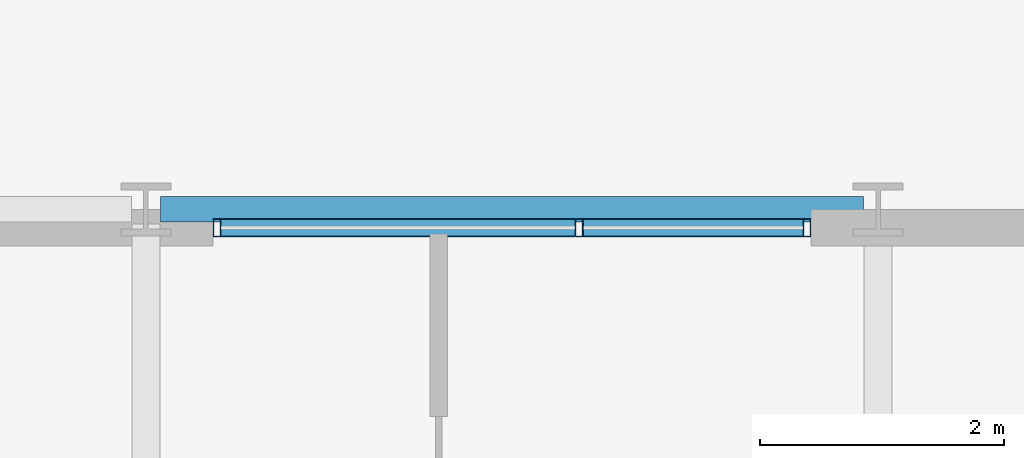
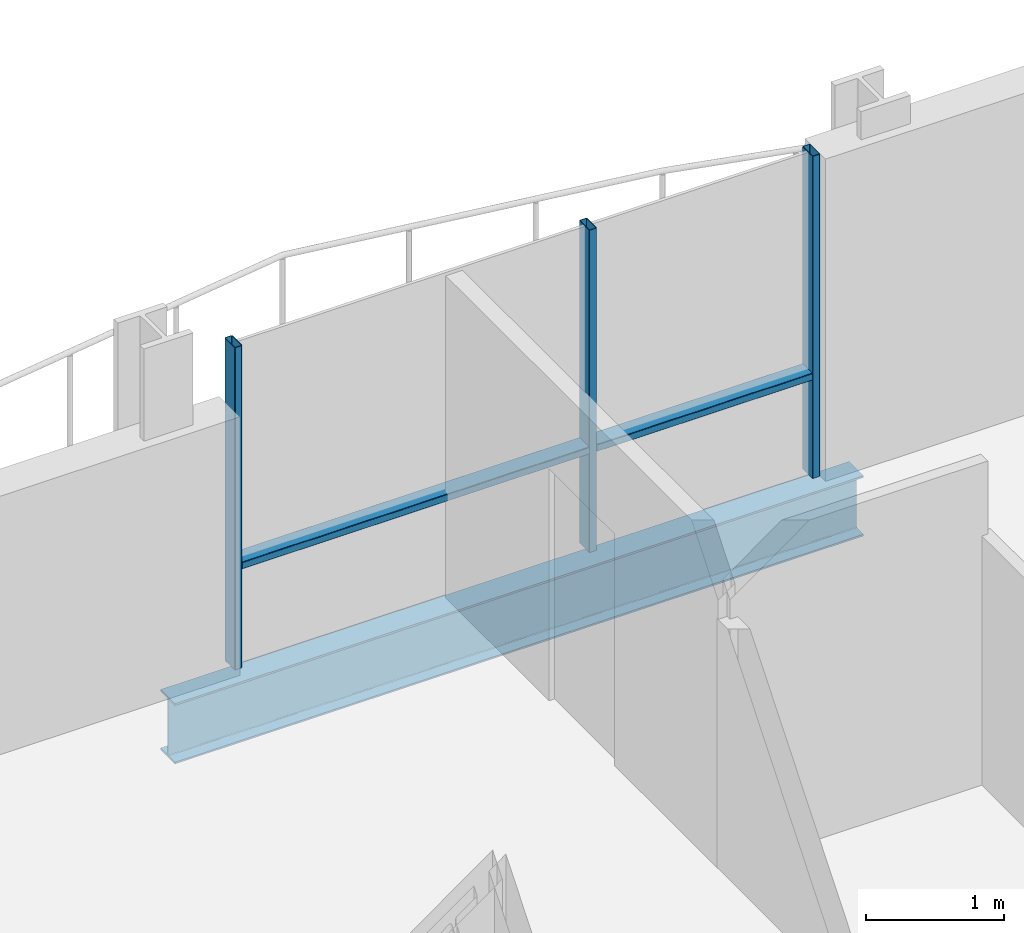
# One storey, part 24 of 40: 5 members, 1 beam, 1 element without a shape of its own.
"""IFC4 building model written with IfcOpenShell, lengths in metres."""

import ifcopenshell
import ifcopenshell.guid

model = None  # the IFC model being written
_history = None  # IfcOwnerHistory: only IFC2X3 demands one
_inside = {}  # id of a spatial element -> (the spatial element, [elements in it])
_under = {}  # id of a project, library or spatial element -> (it, [spatial elements below it])
_declared = {}  # id of a project -> (the project, [libraries it declares])
_typed = {}  # id of a type object -> (the type object, [elements of that type])
_made_of = {}  # id of a material, layer set ... -> (it, [elements and type objects made of it])


def new_model(schema):
    """Start an empty IFC model of exactly this schema.

    Asked for "IFC4X3", IfcOpenShell would pick the latest addendum, in which some entities
    have other attributes; the version numbers below select the first issue.
    IFC2X3 requires an IfcOwnerHistory on every rooted entity: one is made here for all.
    """
    global model, _history
    if schema == "IFC4X3":
        model = ifcopenshell.file(schema_version=(4, 3, 0, 0))
    else:
        model = ifcopenshell.file(schema=schema)
    _inside.clear()
    _under.clear()
    _declared.clear()
    _typed.clear()
    _made_of.clear()
    _history = None
    if model.schema == "IFC2X3":
        org = make("IfcOrganization", Name="unknown")
        user = make(
            "IfcPersonAndOrganization",
            ThePerson=make("IfcPerson", FamilyName="unknown"),
            TheOrganization=org,
        )
        app = make(
            "IfcApplication",
            ApplicationDeveloper=org,
            Version="unknown",
            ApplicationFullName="unknown",
            ApplicationIdentifier="unknown",
        )
        _history = make(
            "IfcOwnerHistory",
            OwningUser=user,
            OwningApplication=app,
            ChangeAction="ADDED",
            CreationDate=0,
        )
    return model


def make(cls, **values):
    """One entity of the class cls with the attributes given. An attribute that is None is left unset."""
    return model.create_entity(
        cls, **{name: value for name, value in values.items() if value is not None}
    )


def rooted(cls, **values):
    """An entity with a GlobalId (a new one), such as an element, a storey or a relation."""
    return make(cls, GlobalId=ifcopenshell.guid.new(), OwnerHistory=_history, **values)


def si_unit(unit_type, name, prefix=None):
    """IfcSIUnit, for example si_unit("LENGTHUNIT", "METRE", prefix="MILLI")."""
    return make("IfcSIUnit", UnitType=unit_type, Prefix=prefix, Name=name)


def assignment(units):
    """IfcUnitAssignment: the units of a project."""
    return None if units is None else make("IfcUnitAssignment", Units=units)


def point(xyz):
    """IfcCartesianPoint."""
    return None if xyz is None else make("IfcCartesianPoint", Coordinates=xyz)


def direction(xyz):
    """IfcDirection."""
    return None if xyz is None else make("IfcDirection", DirectionRatios=xyz)


def frame(location, z_axis=None, x_axis=None):
    """IfcAxis2Placement3D, a coordinate frame: its origin and axes. An axis left out is left unset."""
    return make(
        "IfcAxis2Placement3D",
        Location=point(location),
        Axis=direction(z_axis),
        RefDirection=direction(x_axis),
    )


def frame_2d(location, x_axis=None):
    """IfcAxis2Placement2D, a coordinate frame in the plane: its origin and x axis."""
    return make(
        "IfcAxis2Placement2D", Location=point(location), RefDirection=direction(x_axis)
    )


def origin():
    """The frame at (0, 0, 0) with its axes left unset."""
    return frame((0.0, 0.0, 0.0))


def origin_2d():
    """The frame at (0, 0) in the plane with its x axis left unset."""
    return frame_2d((0.0, 0.0))


def place(relative_to, where):
    """IfcLocalPlacement: puts the frame where relative to a parent placement (None: the world)."""
    return make(
        "IfcLocalPlacement", PlacementRelTo=relative_to, RelativePlacement=where
    )


def context(
    kind, dimensions, precision=None, world=None, true_north=None, identifier=None
):
    """IfcGeometricRepresentationContext, for example the 3D "Model" context."""
    return make(
        "IfcGeometricRepresentationContext",
        ContextIdentifier=identifier,
        ContextType=kind,
        CoordinateSpaceDimension=dimensions,
        Precision=precision,
        WorldCoordinateSystem=world,
        TrueNorth=true_north,
    )


def subcontext(parent, identifier, kind, view, scale=None):
    """IfcGeometricRepresentationSubContext, for example "Body" below "Model"."""
    return make(
        "IfcGeometricRepresentationSubContext",
        ContextIdentifier=identifier,
        ContextType=kind,
        ParentContext=parent,
        TargetScale=scale,
        TargetView=view,
    )


def project(units=None, contexts=None):
    """IfcProject with its units and contexts."""
    return rooted(
        "IfcProject",
        Name="project",
        RepresentationContexts=contexts,
        UnitsInContext=assignment(units),
    )


def spatial(cls, under=None, at=None, **own):
    """A site, building, storey or space (cls), placed at a placement, below another one or the project."""
    s = rooted(cls, ObjectPlacement=at, **own)
    if under is not None:
        _under.setdefault(under.id(), (under, []))[1].append(s)
    return s


def profile(cls, at=None, kind="AREA", **sizes):
    """A parametric profile (cls). Its sizes go by their IFC names, for example OverallWidth=200.0."""
    return make(cls, ProfileType=kind, Position=at, **sizes)


def hollow_rectangle(**sizes):
    """IfcRectangleHollowProfileDef."""
    return profile("IfcRectangleHollowProfileDef", **sizes)


def i_section(**sizes):
    """IfcIShapeProfileDef."""
    return profile("IfcIShapeProfileDef", **sizes)


def extrude(swept, where, along, depth):
    """IfcExtrudedAreaSolid: the profile swept, set in the frame where, extruded along a direction by depth."""
    return make(
        "IfcExtrudedAreaSolid",
        SweptArea=swept,
        Position=where,
        ExtrudedDirection=direction(along),
        Depth=depth,
    )


def shape(context_of_items, identifier, shape_type, items):
    """IfcShapeRepresentation: the items that make up one representation, for example the "Body"."""
    return make(
        "IfcShapeRepresentation",
        ContextOfItems=context_of_items,
        RepresentationIdentifier=identifier,
        RepresentationType=shape_type,
        Items=items,
    )


def material(Name=None, Category=None):
    """IfcMaterial."""
    return make("IfcMaterial", Name=Name, Category=Category)


def layer(
    of_material, thickness, ventilated=None, Name=None, Category=None, Priority=None
):
    """IfcMaterialLayer: one layer of a wall or slab, of a material (None: an air gap)."""
    return make(
        "IfcMaterialLayer",
        Material=of_material,
        LayerThickness=thickness,
        IsVentilated=ventilated,
        Name=Name,
        Category=Category,
        Priority=Priority,
    )


def layer_set(layers, Name=None):
    """IfcMaterialLayerSet."""
    return make("IfcMaterialLayerSet", MaterialLayers=layers, LayerSetName=Name)


def material_profile(
    of_material, cross_section, Name=None, Category=None, Priority=None
):
    """IfcMaterialProfile: a cross section and its material."""
    return make(
        "IfcMaterialProfile",
        Name=Name,
        Material=of_material,
        Profile=cross_section,
        Priority=Priority,
        Category=Category,
    )


def profile_set(profiles, Name=None, composite=None):
    """IfcMaterialProfileSet."""
    return make(
        "IfcMaterialProfileSet",
        Name=Name,
        MaterialProfiles=profiles,
        CompositeProfile=composite,
    )


def made_of(thing, what):
    """Note that an element or type object is made of a material, layer set ...; save() writes the relation."""
    if what is not None:
        _made_of.setdefault(what.id(), (what, []))[1].append(thing)
    return thing


def type_object(cls, material=None, **own):
    """A type object (cls), such as IfcWallType, which elements share."""
    return made_of(rooted(cls, **own), material)


def element(
    cls,
    number,
    at=None,
    inside=None,
    cuts=None,
    type_object=None,
    material=None,
    context=None,
    identifier="Body",
    shape_type=None,
    held_by="IfcProductDefinitionShape",
    body=None,
    shapes=None,
    **own,
):
    """One element of the class cls, such as IfcWall. Its Tag is "e" and its number.

    at: its placement. inside: the storey or other place that contains it. cuts: it is an
    opening in that element (IfcRelVoidsElement). A single representation is given by context,
    identifier, shape_type and body (its items); several are given by shapes. held_by: the class
    of the entity that holds the representations. save() writes the other relations.
    """
    e = rooted(cls, Tag="e%d" % number, ObjectPlacement=at, **own)
    if body is not None:
        shapes = [shape(context, identifier, shape_type, body)]
    if shapes is not None:
        e.Representation = make(held_by, Representations=shapes)
    if inside is not None:
        _inside.setdefault(inside.id(), (inside, []))[1].append(e)
    if cuts is not None:
        rooted(
            "IfcRelVoidsElement", RelatingBuildingElement=cuts, RelatedOpeningElement=e
        )
    if type_object is not None:
        _typed.setdefault(type_object.id(), (type_object, []))[1].append(e)
    return made_of(e, material)


def aggregate(whole, parts):
    """IfcRelAggregates: a whole, such as a stair, and the parts it consists of."""
    return rooted("IfcRelAggregates", RelatingObject=whole, RelatedObjects=parts)


def save(model, path):
    """Write the relations noted so far, then the file.

    IfcRelAggregates (storeys below a building ...), IfcRelContainedInSpatialStructure (elements
    in a storey), IfcRelDefinesByType, IfcRelAssociatesMaterial and IfcRelDeclares: one each for
    every whole, place, type object, material and project.
    """
    for whole, parts in _under.values():
        aggregate(whole, parts)
    for where, things in _inside.values():
        rooted(
            "IfcRelContainedInSpatialStructure",
            RelatedElements=things,
            RelatingStructure=where,
        )
    for kind, things in _typed.values():
        rooted("IfcRelDefinesByType", RelatedObjects=things, RelatingType=kind)
    for what, things in _made_of.values():
        rooted("IfcRelAssociatesMaterial", RelatedObjects=things, RelatingMaterial=what)
    for by, libraries in _declared.values():
        rooted("IfcRelDeclares", RelatingContext=by, RelatedDefinitions=libraries)
    model.write(path)


model = new_model("IFC4")

# Units and contexts
model_context = context("Model", 3, precision=1e-05, world=origin(), true_north=direction((0.0, 1.0)))
body_context = subcontext(model_context, "Body", "Model", "MODEL_VIEW")
ifc_project = project(units=[si_unit("LENGTHUNIT", "METRE"), si_unit("AREAUNIT", "SQUARE_METRE"), si_unit("VOLUMEUNIT", "CUBIC_METRE"), si_unit("PLANEANGLEUNIT", "RADIAN"), si_unit("MASSUNIT", "GRAM", prefix="KILO")], contexts=[model_context])

# Site, building, storey
site_placement = place(None, origin())
site = spatial("IfcSite", under=ifc_project, at=site_placement, CompositionType="ELEMENT")
building_placement = place(site_placement, origin())
building = spatial("IfcBuilding", under=site, at=building_placement, Name="Brevholm Reach", CompositionType="ELEMENT")
storey_placement = place(building_placement, frame((0.0, 0.0, 131.39990234375)))
storey = spatial("IfcBuildingStorey", under=building, at=storey_placement, Name="L39", CompositionType="ELEMENT", Elevation=131.39990234375)

# Beam
ifc_material_1 = material(Name="Structural Steel S355J2", Category="steel")
ifc_material_profile_1 = material_profile(ifc_material_1, i_section(OverallWidth=0.209228515625, OverallDepth=0.533203125, WebThickness=0.010009765625, FlangeThickness=0.015625, FilletRadius=0.0126953125, at=origin_2d()), Name="UKB 533x210x92")
ifc_profile_set_1 = profile_set([ifc_material_profile_1], Name="Structural Steel S355J2")
beam_type = type_object("IfcBeamType", Name="BM-SP533", PredefinedType="SPANDREL", material=ifc_profile_set_1)
beam_placement = place(storey_placement, frame((48.1201171875, 31.0, -0.486572265625), z_axis=(1.0, 0.0, 0.0), x_axis=(0.0, 1.0, 0.0)))
element("IfcBeam", 1, at=beam_placement, inside=storey, type_object=beam_type, Name="L39 SP-02 Framing Beam", PredefinedType="SPANDREL", context=body_context, shape_type="SweptSolid", body=[
    extrude(i_section(OverallWidth=0.209228515625, OverallDepth=0.533203125, WebThickness=0.010009765625, FlangeThickness=0.015625, FilletRadius=0.0126953125, at=origin_2d()), origin(), (0.0, 0.0, 1.0), 5.759765625),
])

# Curtain wall, members
ifc_material_2 = material(Name="Dark Anodised Aluminium 6063-T6 and Solar-Control Glass", Category="aluminium")
ifc_layer = layer(ifc_material_2, 0.14990234375)
ifc_layer_set = layer_set([ifc_layer], Name="Dark Anodised Aluminium 6063-T6 and Solar-Control Glass")
curtain_wall_type = type_object("IfcCurtainWallType", Name="CW-01", PredefinedType="NOTDEFINED", material=ifc_layer_set)
curtain_wall_placement = place(storey_placement, origin())
curtain_wall = element("IfcCurtainWall", 2, at=curtain_wall_placement, inside=storey, type_object=curtain_wall_type, Name="L39 Curtain Wall CW-01", PredefinedType="NOTDEFINED")
ifc_material_3 = material(Name="Dark Anodised Aluminium 6063-T6", Category="aluminium")
ifc_material_profile_2 = material_profile(ifc_material_3, hollow_rectangle(XDim=0.06494140625, YDim=0.14990234375, WallThickness=0.0048828125, InnerFilletRadius=0.0048828125, OuterFilletRadius=0.010009765625, at=origin_2d()), Name="RHS 150x65x5")
ifc_profile_set_2 = profile_set([ifc_material_profile_2], Name="Dark Anodised Aluminium 6063-T6")
member_type_1 = type_object("IfcMemberType", Name="CWM-150", PredefinedType="MULLION", material=ifc_profile_set_2)
member_1_placement = place(storey_placement, frame((48.58251953125, 30.85009765625, 0.0), z_axis=(0.0, 0.0, 1.0), x_axis=(1.0, 0.0, 0.0)))
member_1 = element("IfcMember", 3, at=member_1_placement, type_object=member_type_1, Name="CM-150 Mullion 1", PredefinedType="MULLION", context=body_context, shape_type="SweptSolid", body=[
    extrude(hollow_rectangle(XDim=0.06494140625, YDim=0.14990234375, WallThickness=0.0048828125, InnerFilletRadius=0.0048828125, OuterFilletRadius=0.010009765625, at=origin_2d()), origin(), (0.0, 0.0, 1.0), 2.85009765625),
])
member_2_placement = place(storey_placement, frame((51.550048828125, 30.85009765625, 0.0), z_axis=(0.0, 0.0, 1.0), x_axis=(1.0, 0.0, 0.0)))
member_2 = element("IfcMember", 4, at=member_2_placement, type_object=member_type_1, Name="CM-150 Mullion 2", PredefinedType="MULLION", context=body_context, shape_type="SweptSolid", body=[
    extrude(hollow_rectangle(XDim=0.06494140625, YDim=0.14990234375, WallThickness=0.0048828125, InnerFilletRadius=0.0048828125, OuterFilletRadius=0.010009765625, at=origin_2d()), origin(), (0.0, 0.0, 1.0), 2.85009765625),
])
member_3_placement = place(storey_placement, frame((53.41748046875, 30.85009765625, 0.0), z_axis=(0.0, 0.0, 1.0), x_axis=(1.0, 0.0, 0.0)))
member_3 = element("IfcMember", 5, at=member_3_placement, type_object=member_type_1, Name="CM-150 Mullion 3", PredefinedType="MULLION", context=body_context, shape_type="SweptSolid", body=[
    extrude(hollow_rectangle(XDim=0.06494140625, YDim=0.14990234375, WallThickness=0.0048828125, InnerFilletRadius=0.0048828125, OuterFilletRadius=0.010009765625, at=origin_2d()), origin(), (0.0, 0.0, 1.0), 2.85009765625),
])
ifc_material_4 = material(Name="Dark Anodised Aluminium 6063-T6", Category="aluminium")
ifc_material_profile_3 = material_profile(ifc_material_4, hollow_rectangle(XDim=0.06494140625, YDim=0.14990234375, WallThickness=0.0048828125, InnerFilletRadius=0.0048828125, OuterFilletRadius=0.010009765625, at=origin_2d()), Name="RHS 150x65x5")
ifc_profile_set_3 = profile_set([ifc_material_profile_3], Name="Dark Anodised Aluminium 6063-T6")
member_type_2 = type_object("IfcMemberType", Name="CWT-150", PredefinedType="NOTDEFINED", material=ifc_profile_set_3)
member_4_placement = place(storey_placement, frame((48.614990234375, 30.85009765625, 0.900146484375), z_axis=(1.0, 0.0, 0.0), x_axis=(0.0, 0.0, 1.0)))
member_4 = element("IfcMember", 6, at=member_4_placement, type_object=member_type_2, Name="CT-150 Transom 1.1", ObjectType="TRANSOM", PredefinedType="USERDEFINED", context=body_context, shape_type="SweptSolid", body=[
    extrude(hollow_rectangle(XDim=0.06494140625, YDim=0.14990234375, WallThickness=0.0048828125, InnerFilletRadius=0.0048828125, OuterFilletRadius=0.010009765625, at=origin_2d()), origin(), (0.0, 0.0, 1.0), 2.902587890625),
])
member_5_placement = place(storey_placement, frame((51.58251953125, 30.85009765625, 0.900146484375), z_axis=(1.0, 0.0, 0.0), x_axis=(0.0, 0.0, 1.0)))
member_5 = element("IfcMember", 7, at=member_5_placement, type_object=member_type_2, Name="CT-150 Transom 2.1", ObjectType="TRANSOM", PredefinedType="USERDEFINED", context=body_context, shape_type="SweptSolid", body=[
    extrude(hollow_rectangle(XDim=0.06494140625, YDim=0.14990234375, WallThickness=0.0048828125, InnerFilletRadius=0.0048828125, OuterFilletRadius=0.010009765625, at=origin_2d()), origin(), (0.0, 0.0, 1.0), 1.802490234375),
])
aggregate(curtain_wall, [member_1, member_2, member_3, member_4, member_5])

save(model, "model.ifc")
